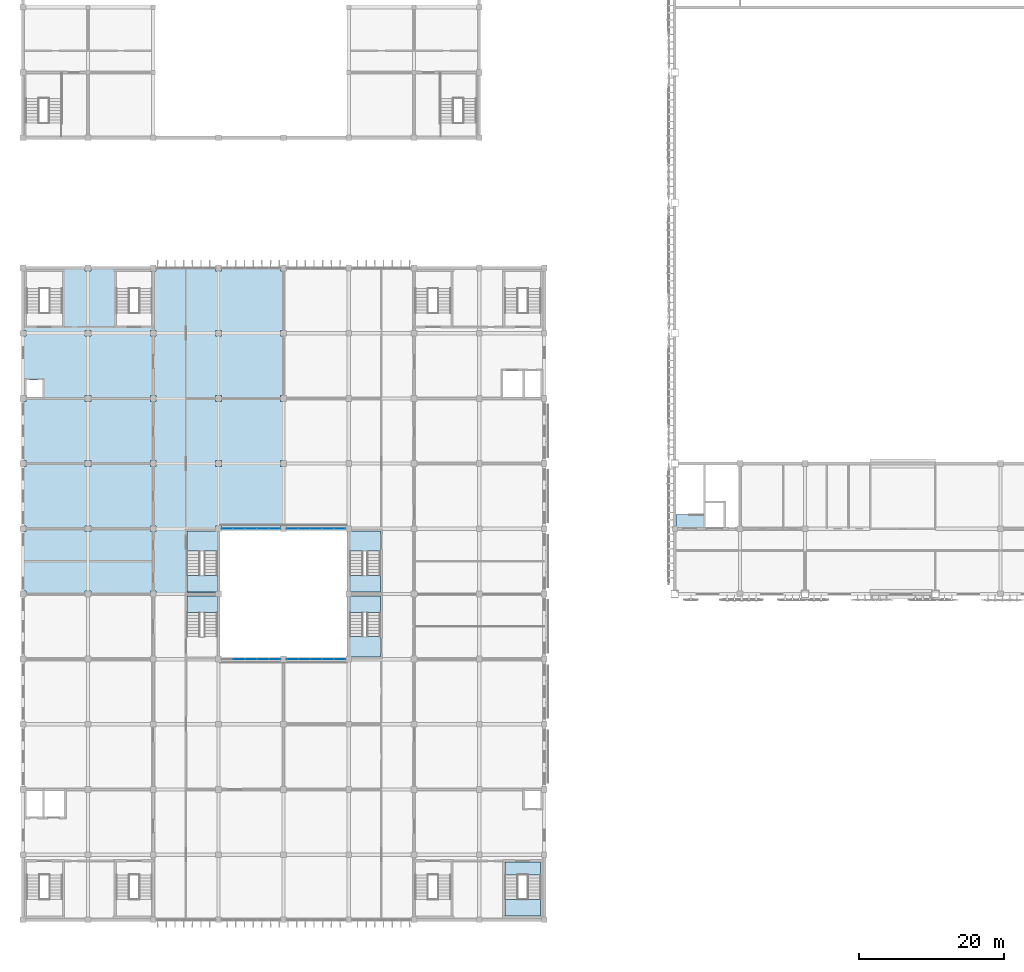
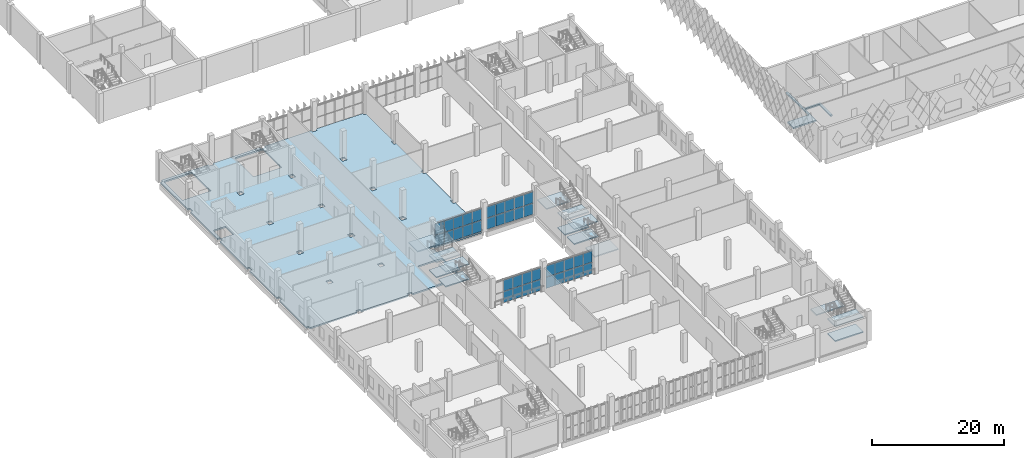
# One storey, part 86 of 185: 38 plates, 16 slabs, 9 elements without a shape of their own.
"""IFC4 building model written with IfcOpenShell, lengths in metres."""

from ifc_helpers import new_model, si_unit, direction, frame, origin, origin_2d, place, context, subcontext, project, spatial, polyline, rectangle, outline, extrude, material, layer, layer_set, type_object, element, aggregate, save


model = new_model("IFC4")

# Units and contexts
model_context = context("Model", 3, precision=1e-05, world=origin(), true_north=direction((0.0, 1.0)))
body_context = subcontext(model_context, "Body", "Model", "MODEL_VIEW")
ifc_project = project(units=[si_unit("LENGTHUNIT", "METRE"), si_unit("AREAUNIT", "SQUARE_METRE"), si_unit("VOLUMEUNIT", "CUBIC_METRE"), si_unit("PLANEANGLEUNIT", "RADIAN"), si_unit("MASSUNIT", "GRAM", prefix="KILO")], contexts=[model_context])

# Site, building, storey
site_placement = place(None, origin())
site = spatial("IfcSite", under=ifc_project, at=site_placement, CompositionType="ELEMENT")
building_placement = place(site_placement, origin())
building = spatial("IfcBuilding", under=site, at=building_placement, Name="Opaline Strait Convention Centre", CompositionType="ELEMENT")
storey_placement = place(building_placement, frame((0.0, 0.0, 6.0)))
storey = spatial("IfcBuildingStorey", under=building, at=storey_placement, Name="L01", CompositionType="ELEMENT", Elevation=6.0)

# Slab
ifc_material_1 = material(Name="Concrete C35", Category="concrete")
ifc_layer_1 = layer(ifc_material_1, 0.280029296875)
ifc_layer_set_1 = layer_set([ifc_layer_1], Name="Concrete C35")
slab_type_1 = type_object("IfcSlabType", Name="Core floor slab 280 C35", PredefinedType="FLOOR", material=ifc_layer_set_1)
slab_1_placement = place(storey_placement, frame((0.0, 0.0, -0.280029296875)))
element("IfcSlab", 1, at=slab_1_placement, inside=storey, type_object=slab_type_1, Name="Core 1 floor", PredefinedType="FLOOR", context=body_context, shape_type="SweptSolid", body=[
    extrude(outline(polyline([(105.75, 63.14990234375), (105.75, 66.550048828125), (103.25, 66.550048828125), (103.25, 63.14990234375), (99.199951171875, 63.14990234375), (99.199951171875, 64.95068359375), (102.949951171875, 64.95068359375), (102.949951171875, 71.800048828125), (103.25, 71.800048828125), (103.25, 66.85009765625), (106.050048828125, 66.85009765625), (106.050048828125, 63.14990234375), (105.75, 63.14990234375)])), origin(), (0.0, 0.0, 1.0), 0.280029296875),
])

# Curtain wall, plates
ifc_material_2 = material(Name="Aluminium framed double glazing", Category="aluminium")
ifc_layer_2 = layer(ifc_material_2, 0.199951171875)
ifc_layer_set_2 = layer_set([ifc_layer_2], Name="Aluminium framed double glazing")
curtain_wall_type = type_object("IfcCurtainWallType", Name="Curtain wall 1500 module", PredefinedType="NOTDEFINED", material=ifc_layer_set_2)
curtain_wall_1_placement = place(storey_placement, origin())
curtain_wall_1 = element("IfcCurtainWall", 2, at=curtain_wall_1_placement, inside=storey, type_object=curtain_wall_type, Name="L01 court glazing Sc 1", PredefinedType="NOTDEFINED")
ifc_material_3 = material(Name="Double glazed unit low emissivity", Category="glass")
ifc_layer_3 = layer(ifc_material_3, 0.028076171875)
ifc_layer_set_3 = layer_set([ifc_layer_3], Name="Double glazed unit low emissivity")
plate_type = type_object("IfcPlateType", Name="Curtain wall glass panel 28", PredefinedType="CURTAIN_PANEL", material=ifc_layer_set_3)
plate_1_placement = place(storey_placement, frame((38.85986328125, 45.0, 0.06005859375), z_axis=(0.0, 0.0, 1.0), x_axis=(1.0, 0.0, 0.0)))
plate_1 = element("IfcPlate", 3, at=plate_1_placement, type_object=plate_type, Name="RCW1 panel 2.1", PredefinedType="CURTAIN_PANEL", context=body_context, shape_type="SweptSolid", body=[
    extrude(rectangle(XDim=1.580078125, YDim=0.028076171875, at=origin_2d()), origin(), (0.0, 0.0, 1.0), 2.070068359375),
])
plate_2_placement = place(storey_placement, frame((38.85986328125, 45.0, 2.18994140625), z_axis=(0.0, 0.0, 1.0), x_axis=(1.0, 0.0, 0.0)))
plate_2 = element("IfcPlate", 4, at=plate_2_placement, type_object=plate_type, Name="RCW1 panel 2.2", PredefinedType="CURTAIN_PANEL", context=body_context, shape_type="SweptSolid", body=[
    extrude(rectangle(XDim=1.580078125, YDim=0.028076171875, at=origin_2d()), origin(), (0.0, 0.0, 1.0), 2.070068359375),
])
plate_3_placement = place(storey_placement, frame((40.5, 45.0, 0.06005859375), z_axis=(0.0, 0.0, 1.0), x_axis=(1.0, 0.0, 0.0)))
plate_3 = element("IfcPlate", 5, at=plate_3_placement, type_object=plate_type, Name="RCW1 panel 3.1", PredefinedType="CURTAIN_PANEL", context=body_context, shape_type="SweptSolid", body=[
    extrude(rectangle(XDim=1.580078125, YDim=0.028076171875, at=origin_2d()), origin(), (0.0, 0.0, 1.0), 2.070068359375),
])
plate_4_placement = place(storey_placement, frame((40.5, 45.0, 2.18994140625), z_axis=(0.0, 0.0, 1.0), x_axis=(1.0, 0.0, 0.0)))
plate_4 = element("IfcPlate", 6, at=plate_4_placement, type_object=plate_type, Name="RCW1 panel 3.2", PredefinedType="CURTAIN_PANEL", context=body_context, shape_type="SweptSolid", body=[
    extrude(rectangle(XDim=1.580078125, YDim=0.028076171875, at=origin_2d()), origin(), (0.0, 0.0, 1.0), 2.070068359375),
])
plate_5_placement = place(storey_placement, frame((42.14013671875, 45.0, 0.06005859375), z_axis=(0.0, 0.0, 1.0), x_axis=(1.0, 0.0, 0.0)))
plate_5 = element("IfcPlate", 7, at=plate_5_placement, type_object=plate_type, Name="RCW1 panel 4.1", PredefinedType="CURTAIN_PANEL", context=body_context, shape_type="SweptSolid", body=[
    extrude(rectangle(XDim=1.580078125, YDim=0.028076171875, at=origin_2d()), origin(), (0.0, 0.0, 1.0), 2.070068359375),
])
plate_6_placement = place(storey_placement, frame((42.14013671875, 45.0, 2.18994140625), z_axis=(0.0, 0.0, 1.0), x_axis=(1.0, 0.0, 0.0)))
plate_6 = element("IfcPlate", 8, at=plate_6_placement, type_object=plate_type, Name="RCW1 panel 4.2", PredefinedType="CURTAIN_PANEL", context=body_context, shape_type="SweptSolid", body=[
    extrude(rectangle(XDim=1.580078125, YDim=0.028076171875, at=origin_2d()), origin(), (0.0, 0.0, 1.0), 2.070068359375),
])
plate_7_placement = place(storey_placement, frame((43.76513671875, 45.0, 0.06005859375), z_axis=(0.0, 0.0, 1.0), x_axis=(1.0, 0.0, 0.0)))
plate_7 = element("IfcPlate", 9, at=plate_7_placement, type_object=plate_type, Name="RCW1 panel 5.1", PredefinedType="CURTAIN_PANEL", context=body_context, shape_type="SweptSolid", body=[
    extrude(rectangle(XDim=1.550048828125, YDim=0.028076171875, at=origin_2d()), origin(), (0.0, 0.0, 1.0), 2.070068359375),
])
plate_8_placement = place(storey_placement, frame((43.76513671875, 45.0, 2.18994140625), z_axis=(0.0, 0.0, 1.0), x_axis=(1.0, 0.0, 0.0)))
plate_8 = element("IfcPlate", 10, at=plate_8_placement, type_object=plate_type, Name="RCW1 panel 5.2", PredefinedType="CURTAIN_PANEL", context=body_context, shape_type="SweptSolid", body=[
    extrude(rectangle(XDim=1.550048828125, YDim=0.028076171875, at=origin_2d()), origin(), (0.0, 0.0, 1.0), 2.070068359375),
])
aggregate(curtain_wall_1, [plate_1, plate_2, plate_3, plate_4, plate_5, plate_6, plate_7, plate_8])

curtain_wall_2_placement = place(storey_placement, origin())
curtain_wall_2 = element("IfcCurtainWall", 11, at=curtain_wall_2_placement, inside=storey, type_object=curtain_wall_type, Name="L01 court glazing Sc 2", PredefinedType="NOTDEFINED")
plate_9_placement = place(storey_placement, frame((46.23486328125, 45.0, 0.06005859375), z_axis=(0.0, 0.0, 1.0), x_axis=(1.0, 0.0, 0.0)))
plate_9 = element("IfcPlate", 12, at=plate_9_placement, type_object=plate_type, Name="RCW1 panel 1.1", PredefinedType="CURTAIN_PANEL", context=body_context, shape_type="SweptSolid", body=[
    extrude(rectangle(XDim=1.550048828125, YDim=0.028076171875, at=origin_2d()), origin(), (0.0, 0.0, 1.0), 2.070068359375),
])
plate_10_placement = place(storey_placement, frame((46.23486328125, 45.0, 2.18994140625), z_axis=(0.0, 0.0, 1.0), x_axis=(1.0, 0.0, 0.0)))
plate_10 = element("IfcPlate", 13, at=plate_10_placement, type_object=plate_type, Name="RCW1 panel 1.2", PredefinedType="CURTAIN_PANEL", context=body_context, shape_type="SweptSolid", body=[
    extrude(rectangle(XDim=1.550048828125, YDim=0.028076171875, at=origin_2d()), origin(), (0.0, 0.0, 1.0), 2.070068359375),
])
plate_11_placement = place(storey_placement, frame((47.85986328125, 45.0, 0.06005859375), z_axis=(0.0, 0.0, 1.0), x_axis=(1.0, 0.0, 0.0)))
plate_11 = element("IfcPlate", 14, at=plate_11_placement, type_object=plate_type, Name="RCW1 panel 2.1", PredefinedType="CURTAIN_PANEL", context=body_context, shape_type="SweptSolid", body=[
    extrude(rectangle(XDim=1.580078125, YDim=0.028076171875, at=origin_2d()), origin(), (0.0, 0.0, 1.0), 2.070068359375),
])
plate_12_placement = place(storey_placement, frame((47.85986328125, 45.0, 2.18994140625), z_axis=(0.0, 0.0, 1.0), x_axis=(1.0, 0.0, 0.0)))
plate_12 = element("IfcPlate", 15, at=plate_12_placement, type_object=plate_type, Name="RCW1 panel 2.2", PredefinedType="CURTAIN_PANEL", context=body_context, shape_type="SweptSolid", body=[
    extrude(rectangle(XDim=1.580078125, YDim=0.028076171875, at=origin_2d()), origin(), (0.0, 0.0, 1.0), 2.070068359375),
])
plate_13_placement = place(storey_placement, frame((49.5, 45.0, 0.06005859375), z_axis=(0.0, 0.0, 1.0), x_axis=(1.0, 0.0, 0.0)))
plate_13 = element("IfcPlate", 16, at=plate_13_placement, type_object=plate_type, Name="RCW1 panel 3.1", PredefinedType="CURTAIN_PANEL", context=body_context, shape_type="SweptSolid", body=[
    extrude(rectangle(XDim=1.580078125, YDim=0.028076171875, at=origin_2d()), origin(), (0.0, 0.0, 1.0), 2.070068359375),
])
plate_14_placement = place(storey_placement, frame((49.5, 45.0, 2.18994140625), z_axis=(0.0, 0.0, 1.0), x_axis=(1.0, 0.0, 0.0)))
plate_14 = element("IfcPlate", 17, at=plate_14_placement, type_object=plate_type, Name="RCW1 panel 3.2", PredefinedType="CURTAIN_PANEL", context=body_context, shape_type="SweptSolid", body=[
    extrude(rectangle(XDim=1.580078125, YDim=0.028076171875, at=origin_2d()), origin(), (0.0, 0.0, 1.0), 2.070068359375),
])
plate_15_placement = place(storey_placement, frame((51.14013671875, 45.0, 0.06005859375), z_axis=(0.0, 0.0, 1.0), x_axis=(1.0, 0.0, 0.0)))
plate_15 = element("IfcPlate", 18, at=plate_15_placement, type_object=plate_type, Name="RCW1 panel 4.1", PredefinedType="CURTAIN_PANEL", context=body_context, shape_type="SweptSolid", body=[
    extrude(rectangle(XDim=1.580078125, YDim=0.028076171875, at=origin_2d()), origin(), (0.0, 0.0, 1.0), 2.070068359375),
])
plate_16_placement = place(storey_placement, frame((51.14013671875, 45.0, 2.18994140625), z_axis=(0.0, 0.0, 1.0), x_axis=(1.0, 0.0, 0.0)))
plate_16 = element("IfcPlate", 19, at=plate_16_placement, type_object=plate_type, Name="RCW1 panel 4.2", PredefinedType="CURTAIN_PANEL", context=body_context, shape_type="SweptSolid", body=[
    extrude(rectangle(XDim=1.580078125, YDim=0.028076171875, at=origin_2d()), origin(), (0.0, 0.0, 1.0), 2.070068359375),
])
plate_17_placement = place(storey_placement, frame((52.76513671875, 45.0, 0.06005859375), z_axis=(0.0, 0.0, 1.0), x_axis=(1.0, 0.0, 0.0)))
plate_17 = element("IfcPlate", 20, at=plate_17_placement, type_object=plate_type, Name="RCW1 panel 5.1", PredefinedType="CURTAIN_PANEL", context=body_context, shape_type="SweptSolid", body=[
    extrude(rectangle(XDim=1.550048828125, YDim=0.028076171875, at=origin_2d()), origin(), (0.0, 0.0, 1.0), 2.070068359375),
])
plate_18_placement = place(storey_placement, frame((52.76513671875, 45.0, 2.18994140625), z_axis=(0.0, 0.0, 1.0), x_axis=(1.0, 0.0, 0.0)))
plate_18 = element("IfcPlate", 21, at=plate_18_placement, type_object=plate_type, Name="RCW1 panel 5.2", PredefinedType="CURTAIN_PANEL", context=body_context, shape_type="SweptSolid", body=[
    extrude(rectangle(XDim=1.550048828125, YDim=0.028076171875, at=origin_2d()), origin(), (0.0, 0.0, 1.0), 2.070068359375),
])
aggregate(curtain_wall_2, [plate_9, plate_10, plate_11, plate_12, plate_13, plate_14, plate_15, plate_16, plate_17, plate_18])

curtain_wall_3_placement = place(storey_placement, origin())
curtain_wall_3 = element("IfcCurtainWall", 22, at=curtain_wall_3_placement, inside=storey, type_object=curtain_wall_type, Name="L01 court glazing Nc 1", PredefinedType="NOTDEFINED")
plate_19_placement = place(storey_placement, frame((37.23486328125, 63.0, 0.06005859375), z_axis=(0.0, 0.0, 1.0), x_axis=(1.0, 0.0, 0.0)))
plate_19 = element("IfcPlate", 23, at=plate_19_placement, type_object=plate_type, Name="RCW1 panel 1.1", PredefinedType="CURTAIN_PANEL", context=body_context, shape_type="SweptSolid", body=[
    extrude(rectangle(XDim=1.550048828125, YDim=0.028076171875, at=origin_2d()), origin(), (0.0, 0.0, 1.0), 2.070068359375),
])
plate_20_placement = place(storey_placement, frame((37.23486328125, 63.0, 2.18994140625), z_axis=(0.0, 0.0, 1.0), x_axis=(1.0, 0.0, 0.0)))
plate_20 = element("IfcPlate", 24, at=plate_20_placement, type_object=plate_type, Name="RCW1 panel 1.2", PredefinedType="CURTAIN_PANEL", context=body_context, shape_type="SweptSolid", body=[
    extrude(rectangle(XDim=1.550048828125, YDim=0.028076171875, at=origin_2d()), origin(), (0.0, 0.0, 1.0), 2.070068359375),
])
plate_21_placement = place(storey_placement, frame((38.85986328125, 63.0, 0.06005859375), z_axis=(0.0, 0.0, 1.0), x_axis=(1.0, 0.0, 0.0)))
plate_21 = element("IfcPlate", 25, at=plate_21_placement, type_object=plate_type, Name="RCW1 panel 2.1", PredefinedType="CURTAIN_PANEL", context=body_context, shape_type="SweptSolid", body=[
    extrude(rectangle(XDim=1.580078125, YDim=0.028076171875, at=origin_2d()), origin(), (0.0, 0.0, 1.0), 2.070068359375),
])
plate_22_placement = place(storey_placement, frame((38.85986328125, 63.0, 2.18994140625), z_axis=(0.0, 0.0, 1.0), x_axis=(1.0, 0.0, 0.0)))
plate_22 = element("IfcPlate", 26, at=plate_22_placement, type_object=plate_type, Name="RCW1 panel 2.2", PredefinedType="CURTAIN_PANEL", context=body_context, shape_type="SweptSolid", body=[
    extrude(rectangle(XDim=1.580078125, YDim=0.028076171875, at=origin_2d()), origin(), (0.0, 0.0, 1.0), 2.070068359375),
])
plate_23_placement = place(storey_placement, frame((40.5, 63.0, 0.06005859375), z_axis=(0.0, 0.0, 1.0), x_axis=(1.0, 0.0, 0.0)))
plate_23 = element("IfcPlate", 27, at=plate_23_placement, type_object=plate_type, Name="RCW1 panel 3.1", PredefinedType="CURTAIN_PANEL", context=body_context, shape_type="SweptSolid", body=[
    extrude(rectangle(XDim=1.580078125, YDim=0.028076171875, at=origin_2d()), origin(), (0.0, 0.0, 1.0), 2.070068359375),
])
plate_24_placement = place(storey_placement, frame((40.5, 63.0, 2.18994140625), z_axis=(0.0, 0.0, 1.0), x_axis=(1.0, 0.0, 0.0)))
plate_24 = element("IfcPlate", 28, at=plate_24_placement, type_object=plate_type, Name="RCW1 panel 3.2", PredefinedType="CURTAIN_PANEL", context=body_context, shape_type="SweptSolid", body=[
    extrude(rectangle(XDim=1.580078125, YDim=0.028076171875, at=origin_2d()), origin(), (0.0, 0.0, 1.0), 2.070068359375),
])
plate_25_placement = place(storey_placement, frame((42.14013671875, 63.0, 0.06005859375), z_axis=(0.0, 0.0, 1.0), x_axis=(1.0, 0.0, 0.0)))
plate_25 = element("IfcPlate", 29, at=plate_25_placement, type_object=plate_type, Name="RCW1 panel 4.1", PredefinedType="CURTAIN_PANEL", context=body_context, shape_type="SweptSolid", body=[
    extrude(rectangle(XDim=1.580078125, YDim=0.028076171875, at=origin_2d()), origin(), (0.0, 0.0, 1.0), 2.070068359375),
])
plate_26_placement = place(storey_placement, frame((42.14013671875, 63.0, 2.18994140625), z_axis=(0.0, 0.0, 1.0), x_axis=(1.0, 0.0, 0.0)))
plate_26 = element("IfcPlate", 30, at=plate_26_placement, type_object=plate_type, Name="RCW1 panel 4.2", PredefinedType="CURTAIN_PANEL", context=body_context, shape_type="SweptSolid", body=[
    extrude(rectangle(XDim=1.580078125, YDim=0.028076171875, at=origin_2d()), origin(), (0.0, 0.0, 1.0), 2.070068359375),
])
plate_27_placement = place(storey_placement, frame((43.76513671875, 63.0, 0.06005859375), z_axis=(0.0, 0.0, 1.0), x_axis=(1.0, 0.0, 0.0)))
plate_27 = element("IfcPlate", 31, at=plate_27_placement, type_object=plate_type, Name="RCW1 panel 5.1", PredefinedType="CURTAIN_PANEL", context=body_context, shape_type="SweptSolid", body=[
    extrude(rectangle(XDim=1.550048828125, YDim=0.028076171875, at=origin_2d()), origin(), (0.0, 0.0, 1.0), 2.070068359375),
])
plate_28_placement = place(storey_placement, frame((43.76513671875, 63.0, 2.18994140625), z_axis=(0.0, 0.0, 1.0), x_axis=(1.0, 0.0, 0.0)))
plate_28 = element("IfcPlate", 32, at=plate_28_placement, type_object=plate_type, Name="RCW1 panel 5.2", PredefinedType="CURTAIN_PANEL", context=body_context, shape_type="SweptSolid", body=[
    extrude(rectangle(XDim=1.550048828125, YDim=0.028076171875, at=origin_2d()), origin(), (0.0, 0.0, 1.0), 2.070068359375),
])
aggregate(curtain_wall_3, [plate_19, plate_20, plate_21, plate_22, plate_23, plate_24, plate_25, plate_26, plate_27, plate_28])

curtain_wall_4_placement = place(storey_placement, origin())
curtain_wall_4 = element("IfcCurtainWall", 33, at=curtain_wall_4_placement, inside=storey, type_object=curtain_wall_type, Name="L01 court glazing Nc 2", PredefinedType="NOTDEFINED")
plate_29_placement = place(storey_placement, frame((46.23486328125, 63.0, 0.06005859375), z_axis=(0.0, 0.0, 1.0), x_axis=(1.0, 0.0, 0.0)))
plate_29 = element("IfcPlate", 34, at=plate_29_placement, type_object=plate_type, Name="RCW1 panel 1.1", PredefinedType="CURTAIN_PANEL", context=body_context, shape_type="SweptSolid", body=[
    extrude(rectangle(XDim=1.550048828125, YDim=0.028076171875, at=origin_2d()), origin(), (0.0, 0.0, 1.0), 2.070068359375),
])
plate_30_placement = place(storey_placement, frame((46.23486328125, 63.0, 2.18994140625), z_axis=(0.0, 0.0, 1.0), x_axis=(1.0, 0.0, 0.0)))
plate_30 = element("IfcPlate", 35, at=plate_30_placement, type_object=plate_type, Name="RCW1 panel 1.2", PredefinedType="CURTAIN_PANEL", context=body_context, shape_type="SweptSolid", body=[
    extrude(rectangle(XDim=1.550048828125, YDim=0.028076171875, at=origin_2d()), origin(), (0.0, 0.0, 1.0), 2.070068359375),
])
plate_31_placement = place(storey_placement, frame((47.85986328125, 63.0, 0.06005859375), z_axis=(0.0, 0.0, 1.0), x_axis=(1.0, 0.0, 0.0)))
plate_31 = element("IfcPlate", 36, at=plate_31_placement, type_object=plate_type, Name="RCW1 panel 2.1", PredefinedType="CURTAIN_PANEL", context=body_context, shape_type="SweptSolid", body=[
    extrude(rectangle(XDim=1.580078125, YDim=0.028076171875, at=origin_2d()), origin(), (0.0, 0.0, 1.0), 2.070068359375),
])
plate_32_placement = place(storey_placement, frame((47.85986328125, 63.0, 2.18994140625), z_axis=(0.0, 0.0, 1.0), x_axis=(1.0, 0.0, 0.0)))
plate_32 = element("IfcPlate", 37, at=plate_32_placement, type_object=plate_type, Name="RCW1 panel 2.2", PredefinedType="CURTAIN_PANEL", context=body_context, shape_type="SweptSolid", body=[
    extrude(rectangle(XDim=1.580078125, YDim=0.028076171875, at=origin_2d()), origin(), (0.0, 0.0, 1.0), 2.070068359375),
])
plate_33_placement = place(storey_placement, frame((49.5, 63.0, 0.06005859375), z_axis=(0.0, 0.0, 1.0), x_axis=(1.0, 0.0, 0.0)))
plate_33 = element("IfcPlate", 38, at=plate_33_placement, type_object=plate_type, Name="RCW1 panel 3.1", PredefinedType="CURTAIN_PANEL", context=body_context, shape_type="SweptSolid", body=[
    extrude(rectangle(XDim=1.580078125, YDim=0.028076171875, at=origin_2d()), origin(), (0.0, 0.0, 1.0), 2.070068359375),
])
plate_34_placement = place(storey_placement, frame((49.5, 63.0, 2.18994140625), z_axis=(0.0, 0.0, 1.0), x_axis=(1.0, 0.0, 0.0)))
plate_34 = element("IfcPlate", 39, at=plate_34_placement, type_object=plate_type, Name="RCW1 panel 3.2", PredefinedType="CURTAIN_PANEL", context=body_context, shape_type="SweptSolid", body=[
    extrude(rectangle(XDim=1.580078125, YDim=0.028076171875, at=origin_2d()), origin(), (0.0, 0.0, 1.0), 2.070068359375),
])
plate_35_placement = place(storey_placement, frame((51.14013671875, 63.0, 0.06005859375), z_axis=(0.0, 0.0, 1.0), x_axis=(1.0, 0.0, 0.0)))
plate_35 = element("IfcPlate", 40, at=plate_35_placement, type_object=plate_type, Name="RCW1 panel 4.1", PredefinedType="CURTAIN_PANEL", context=body_context, shape_type="SweptSolid", body=[
    extrude(rectangle(XDim=1.580078125, YDim=0.028076171875, at=origin_2d()), origin(), (0.0, 0.0, 1.0), 2.070068359375),
])
plate_36_placement = place(storey_placement, frame((51.14013671875, 63.0, 2.18994140625), z_axis=(0.0, 0.0, 1.0), x_axis=(1.0, 0.0, 0.0)))
plate_36 = element("IfcPlate", 41, at=plate_36_placement, type_object=plate_type, Name="RCW1 panel 4.2", PredefinedType="CURTAIN_PANEL", context=body_context, shape_type="SweptSolid", body=[
    extrude(rectangle(XDim=1.580078125, YDim=0.028076171875, at=origin_2d()), origin(), (0.0, 0.0, 1.0), 2.070068359375),
])
plate_37_placement = place(storey_placement, frame((52.76513671875, 63.0, 0.06005859375), z_axis=(0.0, 0.0, 1.0), x_axis=(1.0, 0.0, 0.0)))
plate_37 = element("IfcPlate", 42, at=plate_37_placement, type_object=plate_type, Name="RCW1 panel 5.1", PredefinedType="CURTAIN_PANEL", context=body_context, shape_type="SweptSolid", body=[
    extrude(rectangle(XDim=1.550048828125, YDim=0.028076171875, at=origin_2d()), origin(), (0.0, 0.0, 1.0), 2.070068359375),
])
plate_38_placement = place(storey_placement, frame((52.76513671875, 63.0, 2.18994140625), z_axis=(0.0, 0.0, 1.0), x_axis=(1.0, 0.0, 0.0)))
plate_38 = element("IfcPlate", 43, at=plate_38_placement, type_object=plate_type, Name="RCW1 panel 5.2", PredefinedType="CURTAIN_PANEL", context=body_context, shape_type="SweptSolid", body=[
    extrude(rectangle(XDim=1.550048828125, YDim=0.028076171875, at=origin_2d()), origin(), (0.0, 0.0, 1.0), 2.070068359375),
])
aggregate(curtain_wall_4, [plate_29, plate_30, plate_31, plate_32, plate_33, plate_34, plate_35, plate_36, plate_37, plate_38])

# Slab
ifc_layer_4 = layer(ifc_material_1, 0.280029296875)
ifc_layer_set_4 = layer_set([ifc_layer_4], Name="Concrete C35")
slab_type_2 = type_object("IfcSlabType", Name="RC floor slab 280 C35", PredefinedType="FLOOR", material=ifc_layer_set_4)
slab_2_placement = place(storey_placement, frame((0.0, 0.0, -0.280029296875)))
element("IfcSlab", 44, at=slab_2_placement, inside=storey, type_object=slab_type_2, Name="XS2 slab L01 pour NW1", PredefinedType="FLOOR", context=body_context, shape_type="SweptSolid", body=[
    extrude(outline(polyline([(9.39990234375, 54.39990234375), (9.0, 54.39990234375), (9.0, 62.60009765625), (9.39990234375, 62.60009765625), (9.39990234375, 63.39990234375), (9.0, 63.39990234375), (9.0, 71.60009765625), (9.39990234375, 71.60009765625), (9.39990234375, 72.39990234375), (9.0, 72.39990234375), (9.0, 80.60009765625), (9.39990234375, 80.60009765625), (9.39990234375, 81.39990234375), (9.0, 81.39990234375), (9.0, 89.60009765625), (9.39990234375, 89.60009765625), (9.39990234375, 90.39990234375), (9.0, 90.39990234375), (9.0, 98.60009765625), (9.39990234375, 98.60009765625), (9.39990234375, 99.0), (17.60009765625, 99.0), (17.60009765625, 98.60009765625), (18.39990234375, 98.60009765625), (18.39990234375, 99.0), (26.60009765625, 99.0), (26.60009765625, 98.60009765625), (27.39990234375, 98.60009765625), (27.39990234375, 99.0), (35.60009765625, 99.0), (35.60009765625, 98.60009765625), (36.39990234375, 98.60009765625), (36.39990234375, 99.0), (44.60009765625, 99.0), (44.60009765625, 98.60009765625), (45.0, 98.60009765625), (45.0, 90.39990234375), (44.60009765625, 90.39990234375), (44.60009765625, 89.60009765625), (45.0, 89.60009765625), (45.0, 81.39990234375), (44.60009765625, 81.39990234375), (44.60009765625, 80.60009765625), (45.0, 80.60009765625), (45.0, 72.39990234375), (44.60009765625, 72.39990234375), (44.60009765625, 71.60009765625), (45.0, 71.60009765625), (45.0, 63.39990234375), (44.60009765625, 63.39990234375), (44.60009765625, 63.0), (36.39990234375, 63.0), (36.39990234375, 63.39990234375), (35.60009765625, 63.39990234375), (35.60009765625, 62.60009765625), (36.0, 62.60009765625), (36.0, 54.39990234375), (35.85009765625, 54.39990234375), (35.85009765625, 59.899169921875), (31.64990234375, 59.899169921875), (31.64990234375, 54.300048828125), (35.60009765625, 54.300048828125), (35.60009765625, 54.0), (27.39990234375, 54.0), (27.39990234375, 54.39990234375), (26.60009765625, 54.39990234375), (26.60009765625, 54.0), (18.39990234375, 54.0), (18.39990234375, 54.39990234375), (17.60009765625, 54.39990234375), (17.60009765625, 54.0), (9.39990234375, 54.0), (9.39990234375, 54.39990234375)]), holes=[polyline([(17.60009765625, 62.60009765625), (18.39990234375, 62.60009765625), (18.39990234375, 63.39990234375), (17.60009765625, 63.39990234375), (17.60009765625, 62.60009765625)]), polyline([(17.60009765625, 71.60009765625), (18.39990234375, 71.60009765625), (18.39990234375, 72.39990234375), (17.60009765625, 72.39990234375), (17.60009765625, 71.60009765625)]), polyline([(17.60009765625, 80.60009765625), (18.39990234375, 80.60009765625), (18.39990234375, 81.39990234375), (17.60009765625, 81.39990234375), (17.60009765625, 80.60009765625)]), polyline([(9.5, 81.14990234375), (11.699951171875, 81.14990234375), (11.699951171875, 83.550048828125), (9.5, 83.550048828125), (9.5, 81.14990234375)]), polyline([(17.60009765625, 89.60009765625), (18.39990234375, 89.60009765625), (18.39990234375, 90.39990234375), (17.60009765625, 90.39990234375), (17.60009765625, 89.60009765625)]), polyline([(21.89990234375, 92.80078125), (26.85009765625, 92.80078125), (26.85009765625, 98.5), (21.89990234375, 98.5), (21.89990234375, 92.80078125)]), polyline([(9.5, 92.80078125), (14.449951171875, 92.80078125), (14.449951171875, 98.5), (9.5, 98.5), (9.5, 92.80078125)]), polyline([(26.60009765625, 62.60009765625), (27.39990234375, 62.60009765625), (27.39990234375, 63.39990234375), (26.60009765625, 63.39990234375), (26.60009765625, 62.60009765625)]), polyline([(26.60009765625, 71.60009765625), (27.39990234375, 71.60009765625), (27.39990234375, 72.39990234375), (26.60009765625, 72.39990234375), (26.60009765625, 71.60009765625)]), polyline([(35.60009765625, 71.60009765625), (36.39990234375, 71.60009765625), (36.39990234375, 72.39990234375), (35.60009765625, 72.39990234375), (35.60009765625, 71.60009765625)]), polyline([(35.60009765625, 80.60009765625), (36.39990234375, 80.60009765625), (36.39990234375, 81.39990234375), (35.60009765625, 81.39990234375), (35.60009765625, 80.60009765625)]), polyline([(26.60009765625, 80.60009765625), (27.39990234375, 80.60009765625), (27.39990234375, 81.39990234375), (26.60009765625, 81.39990234375), (26.60009765625, 80.60009765625)]), polyline([(35.60009765625, 89.60009765625), (36.39990234375, 89.60009765625), (36.39990234375, 90.39990234375), (35.60009765625, 90.39990234375), (35.60009765625, 89.60009765625)]), polyline([(26.60009765625, 89.60009765625), (27.39990234375, 89.60009765625), (27.39990234375, 90.39990234375), (26.60009765625, 90.39990234375), (26.60009765625, 89.60009765625)])]), origin(), (0.0, 0.0, 1.0), 0.280029296875),
])

# Stair, slabs
ifc_material_4 = material(Name="Concrete C40", Category="concrete")
stair_type = type_object("IfcStairType", Name="Exit stair two flights 1800 C40", PredefinedType="HALF_TURN_STAIR", material=ifc_material_4)
stair_1_placement = place(storey_placement, origin())
stair_1 = element("IfcStair", 45, at=stair_1_placement, inside=storey, type_object=stair_type, Name="L01 SEA", ObjectType="RST1", PredefinedType="HALF_TURN_STAIR")
ifc_layer_5 = layer(ifc_material_4, 0.199951171875)
ifc_layer_set_5 = layer_set([ifc_layer_5], Name="Concrete C40")
slab_type_3 = type_object("IfcSlabType", Name="Stair landing 200 C40", PredefinedType="LANDING", material=ifc_layer_set_5)
slab_3_placement = place(storey_placement, frame((0.0, 0.0, 1.175048828125)))
slab_3 = element("IfcSlab", 46, at=slab_3_placement, type_object=slab_type_3, Name="SEA landing 1", ObjectType="RSL1", PredefinedType="LANDING", context=body_context, shape_type="SweptSolid", body=[
    extrude(outline(polyline([(75.550048828125, 11.840087890625), (75.550048828125, 9.5), (80.5, 9.5), (80.5, 11.840087890625), (75.550048828125, 11.840087890625)])), origin(), (0.0, 0.0, 1.0), 0.199951171875),
])
slab_4_placement = place(storey_placement, frame((0.0, 0.0, 2.550048828125)))
slab_4 = element("IfcSlab", 47, at=slab_4_placement, type_object=slab_type_3, Name="SEA landing 2", ObjectType="RSL1", PredefinedType="LANDING", context=body_context, shape_type="SweptSolid", body=[
    extrude(outline(polyline([(75.550048828125, 17.0), (75.550048828125, 15.199951171875), (80.5, 15.199951171875), (80.5, 17.0), (75.550048828125, 17.0)])), origin(), (0.0, 0.0, 1.0), 0.199951171875),
])
slab_5_placement = place(storey_placement, frame((0.0, 0.0, 3.925048828125)))
slab_5 = element("IfcSlab", 48, at=slab_5_placement, type_object=slab_type_3, Name="SEA landing 3", ObjectType="RSL1", PredefinedType="LANDING", context=body_context, shape_type="SweptSolid", body=[
    extrude(outline(polyline([(75.550048828125, 11.840087890625), (75.550048828125, 9.5), (80.5, 9.5), (80.5, 11.840087890625), (75.550048828125, 11.840087890625)])), origin(), (0.0, 0.0, 1.0), 0.199951171875),
])
aggregate(stair_1, [slab_3, slab_4, slab_5])

stair_2_placement = place(storey_placement, origin())
stair_2 = element("IfcStair", 49, at=stair_2_placement, inside=storey, type_object=stair_type, Name="L01 ME1", ObjectType="RST1", PredefinedType="HALF_TURN_STAIR")
slab_6_placement = place(storey_placement, frame((0.0, 0.0, 1.175048828125)))
slab_6 = element("IfcSlab", 50, at=slab_6_placement, type_object=slab_type_3, Name="ME1 landing 1", ObjectType="RSL1", PredefinedType="LANDING", context=body_context, shape_type="SweptSolid", body=[
    extrude(outline(polyline([(58.35009765625, 51.4599609375), (58.35009765625, 53.699951171875), (54.14990234375, 53.699951171875), (54.14990234375, 51.4599609375), (58.35009765625, 51.4599609375)])), origin(), (0.0, 0.0, 1.0), 0.199951171875),
])
slab_7_placement = place(storey_placement, frame((0.0, 0.0, 2.550048828125)))
slab_7 = element("IfcSlab", 51, at=slab_7_placement, type_object=slab_type_3, Name="ME1 landing 2", ObjectType="RSL1", PredefinedType="LANDING", context=body_context, shape_type="SweptSolid", body=[
    extrude(outline(polyline([(58.35009765625, 45.300048828125), (58.35009765625, 48.10009765625), (54.14990234375, 48.10009765625), (54.14990234375, 45.300048828125), (58.35009765625, 45.300048828125)])), origin(), (0.0, 0.0, 1.0), 0.199951171875),
])
slab_8_placement = place(storey_placement, frame((0.0, 0.0, 3.925048828125)))
slab_8 = element("IfcSlab", 52, at=slab_8_placement, type_object=slab_type_3, Name="ME1 landing 3", ObjectType="RSL1", PredefinedType="LANDING", context=body_context, shape_type="SweptSolid", body=[
    extrude(outline(polyline([(58.35009765625, 51.4599609375), (58.35009765625, 53.699951171875), (54.14990234375, 53.699951171875), (54.14990234375, 51.4599609375), (58.35009765625, 51.4599609375)])), origin(), (0.0, 0.0, 1.0), 0.199951171875),
])
aggregate(stair_2, [slab_6, slab_7, slab_8])

stair_3_placement = place(storey_placement, origin())
stair_3 = element("IfcStair", 53, at=stair_3_placement, inside=storey, type_object=stair_type, Name="L01 ME2", ObjectType="RST1", PredefinedType="HALF_TURN_STAIR")
slab_9_placement = place(storey_placement, frame((0.0, 0.0, 1.175048828125)))
slab_9 = element("IfcSlab", 54, at=slab_9_placement, type_object=slab_type_3, Name="ME2 landing 1", ObjectType="RSL1", PredefinedType="LANDING", context=body_context, shape_type="SweptSolid", body=[
    extrude(outline(polyline([(54.14990234375, 56.5400390625), (54.14990234375, 54.300048828125), (58.35009765625, 54.300048828125), (58.35009765625, 56.5400390625), (54.14990234375, 56.5400390625)])), origin(), (0.0, 0.0, 1.0), 0.199951171875),
])
slab_10_placement = place(storey_placement, frame((0.0, 0.0, 2.550048828125)))
slab_10 = element("IfcSlab", 55, at=slab_10_placement, type_object=slab_type_3, Name="ME2 landing 2", ObjectType="RSL1", PredefinedType="LANDING", context=body_context, shape_type="SweptSolid", body=[
    extrude(outline(polyline([(54.14990234375, 62.699951171875), (54.14990234375, 59.89990234375), (58.35009765625, 59.89990234375), (58.35009765625, 62.699951171875), (54.14990234375, 62.699951171875)])), origin(), (0.0, 0.0, 1.0), 0.199951171875),
])
slab_11_placement = place(storey_placement, frame((0.0, 0.0, 3.925048828125)))
slab_11 = element("IfcSlab", 56, at=slab_11_placement, type_object=slab_type_3, Name="ME2 landing 3", ObjectType="RSL1", PredefinedType="LANDING", context=body_context, shape_type="SweptSolid", body=[
    extrude(outline(polyline([(54.14990234375, 56.5400390625), (54.14990234375, 54.300048828125), (58.35009765625, 54.300048828125), (58.35009765625, 56.5400390625), (54.14990234375, 56.5400390625)])), origin(), (0.0, 0.0, 1.0), 0.199951171875),
])
aggregate(stair_3, [slab_9, slab_10, slab_11])

stair_4_placement = place(storey_placement, origin())
stair_4 = element("IfcStair", 57, at=stair_4_placement, inside=storey, type_object=stair_type, Name="L01 MW1", ObjectType="RST1", PredefinedType="HALF_TURN_STAIR")
slab_12_placement = place(storey_placement, frame((0.0, 0.0, 1.175048828125)))
slab_12 = element("IfcSlab", 58, at=slab_12_placement, type_object=slab_type_3, Name="MW1 landing 1", ObjectType="RSL1", PredefinedType="LANDING", context=body_context, shape_type="SweptSolid", body=[
    extrude(outline(polyline([(35.85009765625, 51.4599609375), (35.85009765625, 53.699951171875), (31.64990234375, 53.699951171875), (31.64990234375, 51.4599609375), (35.85009765625, 51.4599609375)])), origin(), (0.0, 0.0, 1.0), 0.199951171875),
])
slab_13_placement = place(storey_placement, frame((0.0, 0.0, 3.925048828125)))
slab_13 = element("IfcSlab", 59, at=slab_13_placement, type_object=slab_type_3, Name="MW1 landing 3", ObjectType="RSL1", PredefinedType="LANDING", context=body_context, shape_type="SweptSolid", body=[
    extrude(outline(polyline([(35.85009765625, 51.4599609375), (35.85009765625, 53.699951171875), (31.64990234375, 53.699951171875), (31.64990234375, 51.4599609375), (35.85009765625, 51.4599609375)])), origin(), (0.0, 0.0, 1.0), 0.199951171875),
])
aggregate(stair_4, [slab_12, slab_13])

stair_5_placement = place(storey_placement, origin())
stair_5 = element("IfcStair", 60, at=stair_5_placement, inside=storey, type_object=stair_type, Name="L01 MW2", ObjectType="RST1", PredefinedType="HALF_TURN_STAIR")
slab_14_placement = place(storey_placement, frame((0.0, 0.0, 1.175048828125)))
slab_14 = element("IfcSlab", 61, at=slab_14_placement, type_object=slab_type_3, Name="MW2 landing 1", ObjectType="RSL1", PredefinedType="LANDING", context=body_context, shape_type="SweptSolid", body=[
    extrude(outline(polyline([(31.64990234375, 56.5400390625), (31.64990234375, 54.300048828125), (35.85009765625, 54.300048828125), (35.85009765625, 56.5400390625), (31.64990234375, 56.5400390625)])), origin(), (0.0, 0.0, 1.0), 0.199951171875),
])
slab_15_placement = place(storey_placement, frame((0.0, 0.0, 2.550048828125)))
slab_15 = element("IfcSlab", 62, at=slab_15_placement, type_object=slab_type_3, Name="MW2 landing 2", ObjectType="RSL1", PredefinedType="LANDING", context=body_context, shape_type="SweptSolid", body=[
    extrude(outline(polyline([(31.64990234375, 62.699951171875), (31.64990234375, 59.89990234375), (35.85009765625, 59.89990234375), (35.85009765625, 62.699951171875), (31.64990234375, 62.699951171875)])), origin(), (0.0, 0.0, 1.0), 0.199951171875),
])
slab_16_placement = place(storey_placement, frame((0.0, 0.0, 3.925048828125)))
slab_16 = element("IfcSlab", 63, at=slab_16_placement, type_object=slab_type_3, Name="MW2 landing 3", ObjectType="RSL1", PredefinedType="LANDING", context=body_context, shape_type="SweptSolid", body=[
    extrude(outline(polyline([(31.64990234375, 56.5400390625), (31.64990234375, 54.300048828125), (35.85009765625, 54.300048828125), (35.85009765625, 56.5400390625), (31.64990234375, 56.5400390625)])), origin(), (0.0, 0.0, 1.0), 0.199951171875),
])
aggregate(stair_5, [slab_14, slab_15, slab_16])

save(model, "model.ifc")
